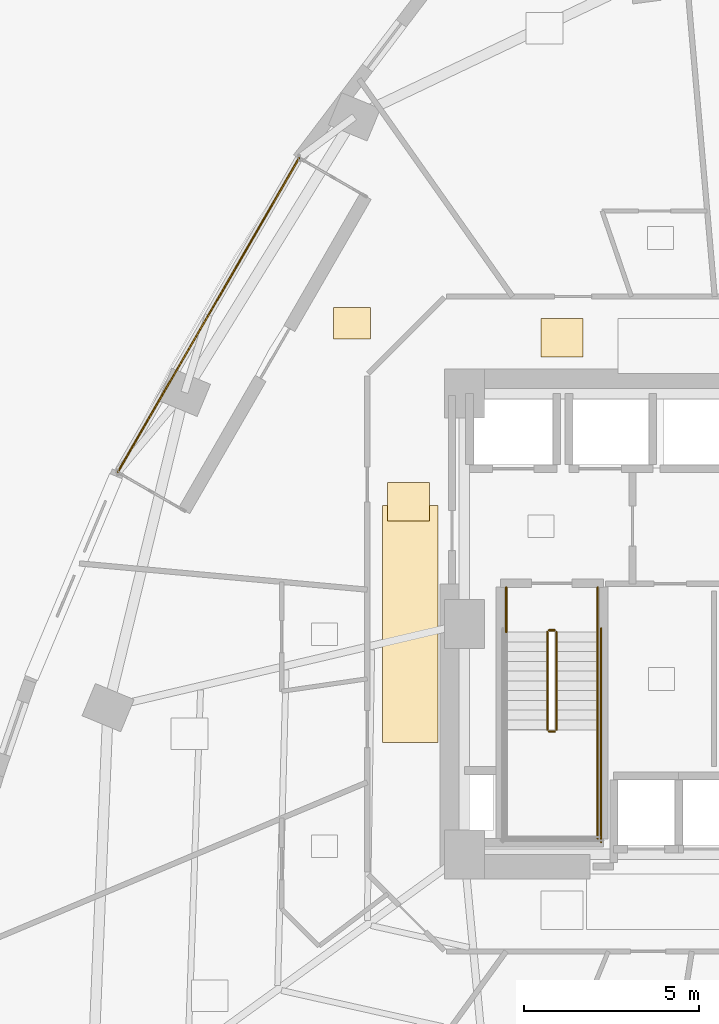
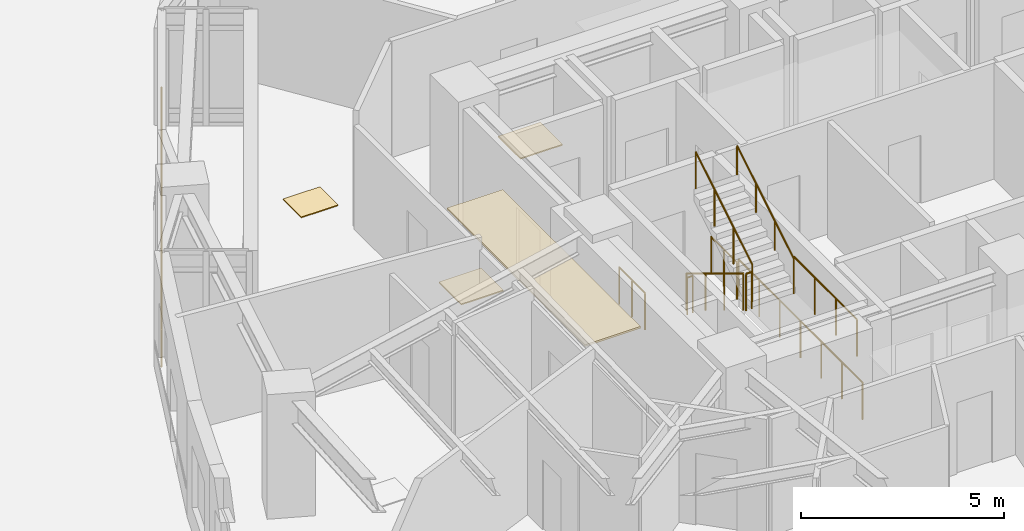
# One storey, part 13 of 15: 10 railings, 4 coverings.
"""IFC4 building model written with IfcOpenShell, lengths in metres."""

from ifc_helpers import new_model, si_unit, direction, frame, origin, origin_2d, place, context, subcontext, project, spatial, rectangle, circle, extrude, material, layer, layer_set, type_object, element, save


model = new_model("IFC4")

# Units and contexts
model_context = context("Model", 3, precision=1e-05, world=origin(), true_north=direction((0.0, 1.0)))
body_context = subcontext(model_context, "Body", "Model", "MODEL_VIEW")
ifc_project = project(units=[si_unit("LENGTHUNIT", "METRE"), si_unit("AREAUNIT", "SQUARE_METRE"), si_unit("VOLUMEUNIT", "CUBIC_METRE"), si_unit("PLANEANGLEUNIT", "RADIAN"), si_unit("MASSUNIT", "GRAM", prefix="KILO")], contexts=[model_context])

# Site, building, storey
site_placement = place(None, origin())
site = spatial("IfcSite", under=ifc_project, at=site_placement, CompositionType="ELEMENT")
building_placement = place(site_placement, origin())
building = spatial("IfcBuilding", under=site, at=building_placement, Name="Ndelora Gate Hotel", CompositionType="ELEMENT")
storey_placement = place(building_placement, frame((0.0, 0.0, 30.5)))
storey = spatial("IfcBuildingStorey", under=building, at=storey_placement, Name="L06", CompositionType="ELEMENT", Elevation=30.5)

# Coverings
ifc_material_1 = material(Name="Perforated Acoustic Gypsum Board", Category="gypsum")
ifc_layer_1 = layer(ifc_material_1, 0.054931640625)
ifc_layer_set_1 = layer_set([ifc_layer_1], Name="Perforated Acoustic Gypsum Board")
covering_type_1 = type_object("IfcCoveringType", Name="COV-CEIL-AC60", PredefinedType="CEILING", material=ifc_layer_set_1)
covering_1_placement = place(storey_placement, frame((-9.550048828125, 0.0, 2.65234375), z_axis=(0.0, 0.0, 1.0), x_axis=(1.0, 0.0, 0.0)))
element("IfcCovering", 1, at=covering_1_placement, inside=storey, type_object=covering_type_1, Name="L06 Guest Corridor Acoustic Ceiling W", PredefinedType="CEILING", context=body_context, shape_type="SweptSolid", body=[
    extrude(rectangle(XDim=1.580078125, YDim=6.800048828125, at=origin_2d()), origin(), (0.0, 0.0, 1.0), 0.054931640625),
])
ifc_material_2 = material(Name="Engineered Highland Oak Parquet", Category="wood")
ifc_layer_2 = layer(ifc_material_2, 0.030029296875)
ifc_layer_set_2 = layer_set([ifc_layer_2], Name="Engineered Highland Oak Parquet")
covering_type_2 = type_object("IfcCoveringType", Name="COV-FLR-PARQ", PredefinedType="FLOORING", material=ifc_layer_set_2)
covering_2_placement = place(storey_placement, frame((-11.217529296875, 8.6201171875, 0.0), z_axis=(0.0, 0.0, 1.0), x_axis=(1.0, 0.0, 0.0)))
element("IfcCovering", 2, at=covering_2_placement, inside=storey, type_object=covering_type_2, Name="L06 Sky Garden Tea Dining Room Oak Parquet Flooring", PredefinedType="FLOORING", context=body_context, shape_type="SweptSolid", body=[
    extrude(rectangle(XDim=1.050048828125, YDim=0.89990234375, at=origin_2d()), origin(), (0.0, 0.0, 1.0), 0.030029296875),
])
ifc_material_3 = material(Name="Polished Highland Stone Terrazzo", Category="masonry")
ifc_layer_3 = layer(ifc_material_3, 0.034912109375)
ifc_layer_set_3 = layer_set([ifc_layer_3], Name="Polished Highland Stone Terrazzo")
covering_type_3 = type_object("IfcCoveringType", Name="COV-FLR-TERZ", PredefinedType="FLOORING", material=ifc_layer_set_3)
for number, where, z_axis, x_axis, name in (
    (3, (-5.199951171875, 8.199951171875, 0.0), (0.0, 0.0, 1.0), (1.0, 0.0, 0.0), "L06 Corridor Threshold Terrazzo Inlay NW"),
    (4, (-9.60009765625, 3.5, 0.0), (0.0, 0.0, 1.0), (1.0, 0.0, 0.0), "L06 Corridor Threshold Terrazzo Inlay W"),
):
    element("IfcCovering", number, at=place(storey_placement, frame(where, z_axis=z_axis, x_axis=x_axis)), inside=storey, type_object=covering_type_3, Name=name, PredefinedType="FLOORING", context=body_context, shape_type="SweptSolid", body=[
        extrude(rectangle(XDim=1.199951171875, YDim=1.10009765625, at=origin_2d()), origin(), (0.0, 0.0, 1.0), 0.034912109375),
    ])

# Railings
ifc_material_4 = material(Name="Laminated Safety Glass and Bronze Top Rail", Category="glass")
ifc_layer_4 = layer(ifc_material_4, 0.070068359375)
ifc_layer_set_4 = layer_set([ifc_layer_4], Name="Laminated Safety Glass and Bronze Top Rail")
railing_type_1 = type_object("IfcRailingType", Name="RL-BAL-1150", PredefinedType="BALUSTRADE", material=ifc_layer_set_4)
railing_1_placement = place(storey_placement, frame((-12.730224609375, 13.354248046875, 0.0)))
element("IfcRailing", 5, at=railing_1_placement, inside=storey, type_object=railing_type_1, Name="L06 Sky-Garden Loggia Terrace Balustrade", PredefinedType="BALUSTRADE", context=body_context, shape_type="SweptSolid", body=[
    extrude(circle(Radius=0.02392578125, at=origin_2d()), frame((0.0, 0.0, 1.1357421875), z_axis=(-0.499999493275, -0.866025696342, 0.0), x_axis=(0.866025696342, -0.499999493275, 0.0)), (0.0, 0.0, 1.0), 10.39990234375),
    extrude(circle(Radius=0.02099609375, at=origin_2d()), origin(), (0.0, 0.0, 1.0), 1.11181640625),
    extrude(circle(Radius=0.02099609375, at=origin_2d()), frame((-0.577880859375, -1.000732421875, 0.0)), (0.0, 0.0, 1.0), 1.11181640625),
    extrude(circle(Radius=0.02099609375, at=origin_2d()), frame((-1.155517578125, -2.00146484375, 0.0)), (0.0, 0.0, 1.0), 1.11181640625),
    extrude(circle(Radius=0.02099609375, at=origin_2d()), frame((-1.7333984375, -3.002197265625, 0.0)), (0.0, 0.0, 1.0), 1.11181640625),
    extrude(circle(Radius=0.02099609375, at=origin_2d()), frame((-2.31103515625, -4.0029296875, 0.0)), (0.0, 0.0, 1.0), 1.11181640625),
    extrude(circle(Radius=0.02099609375, at=origin_2d()), frame((-2.888916015625, -5.003662109375, 0.0)), (0.0, 0.0, 1.0), 1.11181640625),
    extrude(circle(Radius=0.02099609375, at=origin_2d()), frame((-3.466552734375, -6.00439453125, 0.0)), (0.0, 0.0, 1.0), 1.11181640625),
    extrude(circle(Radius=0.02099609375, at=origin_2d()), frame((-4.04443359375, -7.005126953125, 0.0)), (0.0, 0.0, 1.0), 1.11181640625),
    extrude(circle(Radius=0.02099609375, at=origin_2d()), frame((-4.6220703125, -8.005859375, 0.0)), (0.0, 0.0, 1.0), 1.11181640625),
    extrude(circle(Radius=0.02099609375, at=origin_2d()), frame((-5.199951171875, -9.006591796875, 0.0)), (0.0, 0.0, 1.0), 1.11181640625),
])
ifc_material_5 = material(Name="Painted Galvanized Steel Balustrade", Category="steel")
ifc_layer_5 = layer(ifc_material_5, 0.06005859375)
ifc_layer_set_5 = layer_set([ifc_layer_5], Name="Painted Galvanized Steel Balustrade")
railing_type_2 = type_object("IfcRailingType", Name="RL-STAIR-GD", PredefinedType="GUARDRAIL", material=ifc_layer_set_5)
railing_2_placement = place(storey_placement, frame((-5.6201171875, -0.22998046875, 0.17041015625)))
element("IfcRailing", 6, at=railing_2_placement, inside=storey, type_object=railing_type_2, Name="L06 ST4 stair guard 1", PredefinedType="GUARDRAIL", context=body_context, shape_type="SweptSolid", body=[
    extrude(circle(Radius=0.02392578125, at=origin_2d()), frame((0.0, 0.0, 1.10595703125), z_axis=(0.0, -0.854169791009, 0.51999420009), x_axis=(1.0, 0.0, 0.0)), (0.0, 0.0, 1.0), 3.278076171875),
    extrude(circle(Radius=0.02099609375, at=origin_2d()), origin(), (0.0, 0.0, 1.0), 1.081787109375),
    extrude(circle(Radius=0.02099609375, at=origin_2d()), frame((0.0, -0.933349609375, 0.568115234375)), (0.0, 0.0, 1.0), 1.081787109375),
    extrude(circle(Radius=0.02099609375, at=origin_2d()), frame((0.0, -1.86669921875, 1.136474609375)), (0.0, 0.0, 1.0), 1.081787109375),
    extrude(circle(Radius=0.02099609375, at=origin_2d()), frame((0.0, -2.800048828125, 1.70458984375)), (0.0, 0.0, 1.0), 1.081787109375),
])
railing_3_placement = place(storey_placement, frame((-5.570068359375, -3.080078125, 1.875)))
element("IfcRailing", 7, at=railing_3_placement, inside=storey, type_object=railing_type_2, Name="L06 ST4 stair guard 2", PredefinedType="GUARDRAIL", context=body_context, shape_type="SweptSolid", body=[
    extrude(circle(Radius=0.02392578125, at=origin_2d()), frame((0.0, 0.0, 1.10595703125), z_axis=(1.0, 0.0, 0.0), x_axis=(0.0, 1.0, 0.0)), (0.0, 0.0, 1.0), 0.16015625),
    extrude(circle(Radius=0.02099609375, at=origin_2d()), origin(), (0.0, 0.0, 1.0), 1.081787109375),
    extrude(circle(Radius=0.02099609375, at=origin_2d()), frame((0.16015625, 0.0, 0.0)), (0.0, 0.0, 1.0), 1.081787109375),
])
railing_4_placement = place(storey_placement, frame((-4.179931640625, -3.030029296875, 1.875)))
element("IfcRailing", 8, at=railing_4_placement, inside=storey, type_object=railing_type_2, Name="L06 ST4 stair guard 4", PredefinedType="GUARDRAIL", context=body_context, shape_type="SweptSolid", body=[
    extrude(circle(Radius=0.02392578125, at=origin_2d()), frame((0.0, 0.0, 1.10595703125), z_axis=(0.0, -1.0, 0.0), x_axis=(1.0, 0.0, 0.0)), (0.0, 0.0, 1.0), 3.119873046875),
    extrude(circle(Radius=0.02099609375, at=origin_2d()), origin(), (0.0, 0.0, 1.0), 1.081787109375),
    extrude(circle(Radius=0.02099609375, at=origin_2d()), frame((0.0, -1.0400390625, 0.0)), (0.0, 0.0, 1.0), 1.081787109375),
    extrude(circle(Radius=0.02099609375, at=origin_2d()), frame((0.0, -2.079833984375, 0.0)), (0.0, 0.0, 1.0), 1.081787109375),
    extrude(circle(Radius=0.02099609375, at=origin_2d()), frame((0.0, -3.119873046875, 0.0)), (0.0, 0.0, 1.0), 1.081787109375),
])
railing_5_placement = place(storey_placement, frame((-5.360107421875, -3.030029296875, 2.04541015625)))
element("IfcRailing", 9, at=railing_5_placement, inside=storey, type_object=railing_type_2, Name="L06 ST4 stair guard 6", PredefinedType="GUARDRAIL", context=body_context, shape_type="SweptSolid", body=[
    extrude(circle(Radius=0.02392578125, at=origin_2d()), frame((0.0, 0.0, 1.10595703125), z_axis=(0.0, 0.854169791009, 0.51999420009), x_axis=(-1.0, 0.0, 0.0)), (0.0, 0.0, 1.0), 3.278076171875),
    extrude(circle(Radius=0.02099609375, at=origin_2d()), origin(), (0.0, 0.0, 1.0), 1.081787109375),
    extrude(circle(Radius=0.02099609375, at=origin_2d()), frame((0.0, 0.933349609375, 0.568115234375)), (0.0, 0.0, 1.0), 1.081787109375),
    extrude(circle(Radius=0.02099609375, at=origin_2d()), frame((0.0, 1.86669921875, 1.136474609375)), (0.0, 0.0, 1.0), 1.081787109375),
    extrude(circle(Radius=0.02099609375, at=origin_2d()), frame((0.0, 2.800048828125, 1.70458984375)), (0.0, 0.0, 1.0), 1.081787109375),
])
railing_6_placement = place(storey_placement, frame((-5.570068359375, -0.179931640625, 0.0)))
element("IfcRailing", 10, at=railing_6_placement, inside=storey, type_object=railing_type_2, Name="L06 ST4 stair guard 7", PredefinedType="GUARDRAIL", context=body_context, shape_type="SweptSolid", body=[
    extrude(circle(Radius=0.02392578125, at=origin_2d()), frame((0.0, 0.0, 1.10595703125), z_axis=(1.0, 0.0, 0.0), x_axis=(0.0, 1.0, 0.0)), (0.0, 0.0, 1.0), 0.16015625),
    extrude(circle(Radius=0.02099609375, at=origin_2d()), origin(), (0.0, 0.0, 1.0), 1.081787109375),
    extrude(circle(Radius=0.02099609375, at=origin_2d()), frame((0.16015625, 0.0, 0.0)), (0.0, 0.0, 1.0), 1.081787109375),
])
for number, where, name in (
    (11, (-6.800048828125, 1.050048828125, 0.0), "L06 ST4 stair guard 8"),
    (12, (-4.179931640625, 1.050048828125, 0.0), "L06 ST4 stair guard 9"),
):
    element("IfcRailing", number, at=place(storey_placement, frame(where)), inside=storey, type_object=railing_type_2, Name=name, PredefinedType="GUARDRAIL", context=body_context, shape_type="SweptSolid", body=[
        extrude(circle(Radius=0.02392578125, at=origin_2d()), frame((0.0, 0.0, 1.10595703125), z_axis=(0.0, -1.0, 0.0), x_axis=(1.0, 0.0, 0.0)), (0.0, 0.0, 1.0), 1.280029296875),
        extrude(circle(Radius=0.02099609375, at=origin_2d()), origin(), (0.0, 0.0, 1.0), 1.081787109375),
        extrude(circle(Radius=0.02099609375, at=origin_2d()), frame((0.0, -0.64013671875, 0.0)), (0.0, 0.0, 1.0), 1.081787109375),
        extrude(circle(Radius=0.02099609375, at=origin_2d()), frame((0.0, -1.280029296875, 0.0)), (0.0, 0.0, 1.0), 1.081787109375),
    ])
railing_7_placement = place(storey_placement, frame((-4.080078125, -0.1298828125, 0.0)))
element("IfcRailing", 13, at=railing_7_placement, inside=storey, type_object=railing_type_2, Name="L06 ST4 stair guard 11", PredefinedType="GUARDRAIL", context=body_context, shape_type="SweptSolid", body=[
    extrude(circle(Radius=0.02392578125, at=origin_2d()), frame((0.0, 0.0, 1.10595703125), z_axis=(0.0, -1.0, 0.0), x_axis=(1.0, 0.0, 0.0)), (0.0, 0.0, 1.0), 6.1201171875),
    extrude(circle(Radius=0.02099609375, at=origin_2d()), origin(), (0.0, 0.0, 1.0), 1.081787109375),
    extrude(circle(Radius=0.02099609375, at=origin_2d()), frame((0.0, -1.02001953125, 0.0)), (0.0, 0.0, 1.0), 1.081787109375),
    extrude(circle(Radius=0.02099609375, at=origin_2d()), frame((0.0, -2.0400390625, 0.0)), (0.0, 0.0, 1.0), 1.081787109375),
    extrude(circle(Radius=0.02099609375, at=origin_2d()), frame((0.0, -3.06005859375, 0.0)), (0.0, 0.0, 1.0), 1.081787109375),
    extrude(circle(Radius=0.02099609375, at=origin_2d()), frame((0.0, -4.080078125, 0.0)), (0.0, 0.0, 1.0), 1.081787109375),
    extrude(circle(Radius=0.02099609375, at=origin_2d()), frame((0.0, -5.10009765625, 0.0)), (0.0, 0.0, 1.0), 1.081787109375),
    extrude(circle(Radius=0.02099609375, at=origin_2d()), frame((0.0, -6.1201171875, 0.0)), (0.0, 0.0, 1.0), 1.081787109375),
])
ifc_material_6 = material(Name="Brushed Stainless Steel 316", Category="steel")
ifc_layer_6 = layer(ifc_material_6, 0.050048828125)
ifc_layer_set_6 = layer_set([ifc_layer_6], Name="Brushed Stainless Steel 316")
railing_type_3 = type_object("IfcRailingType", Name="RL-STAIR-HR", PredefinedType="HANDRAIL", material=ifc_layer_set_6)
railing_8_placement = place(storey_placement, frame((-4.179931640625, -3.030029296875, 2.04541015625)))
element("IfcRailing", 14, at=railing_8_placement, inside=storey, type_object=railing_type_3, Name="L06 ST4 stair handrail 2", PredefinedType="HANDRAIL", context=body_context, shape_type="SweptSolid", body=[
    extrude(circle(Radius=0.02392578125, at=origin_2d()), frame((0.0, 0.0, 0.8759765625), z_axis=(0.0, 0.854169791009, 0.51999420009), x_axis=(-1.0, 0.0, 0.0)), (0.0, 0.0, 1.0), 3.278076171875),
    extrude(circle(Radius=0.02099609375, at=origin_2d()), origin(), (0.0, 0.0, 1.0), 0.851806640625),
    extrude(circle(Radius=0.02099609375, at=origin_2d()), frame((0.0, 0.933349609375, 0.568115234375)), (0.0, 0.0, 1.0), 0.851806640625),
    extrude(circle(Radius=0.02099609375, at=origin_2d()), frame((0.0, 1.86669921875, 1.136474609375)), (0.0, 0.0, 1.0), 0.851806640625),
    extrude(circle(Radius=0.02099609375, at=origin_2d()), frame((0.0, 2.800048828125, 1.70458984375)), (0.0, 0.0, 1.0), 0.851806640625),
])

save(model, "model.ifc")
